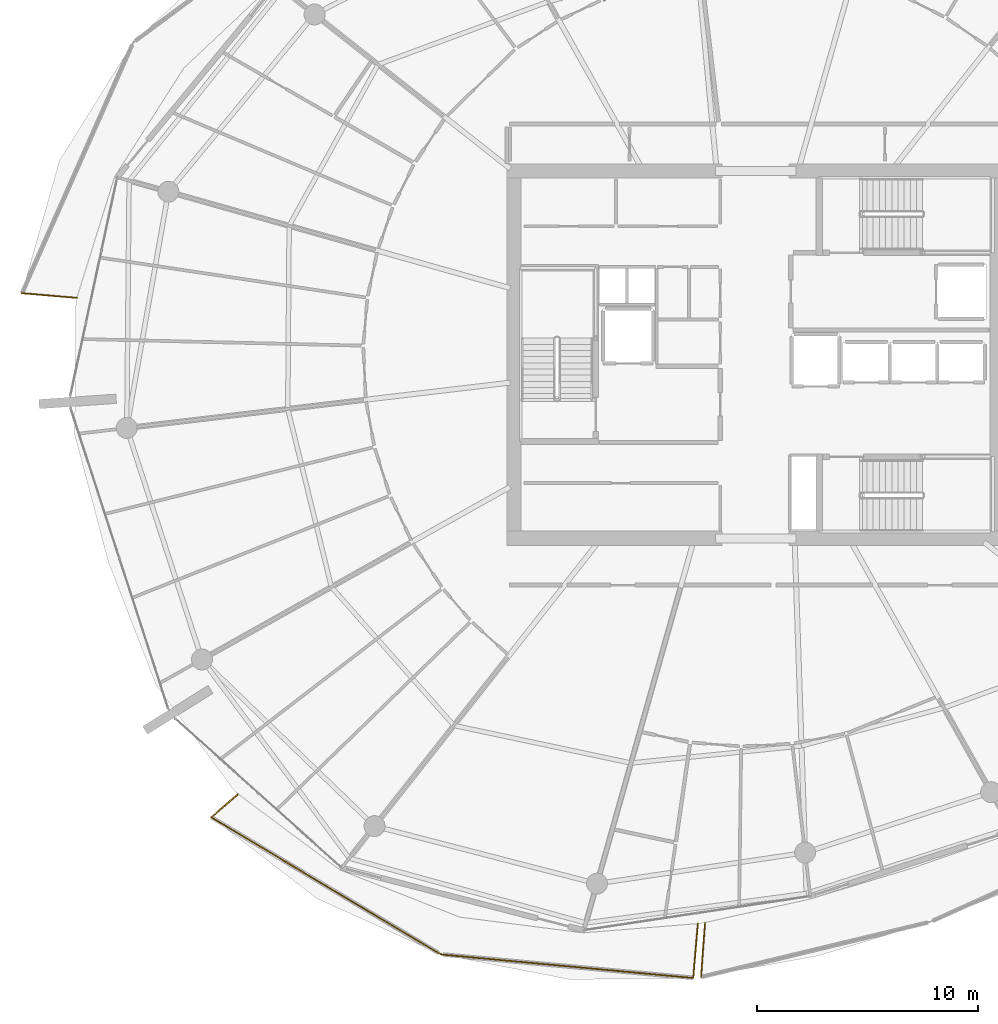
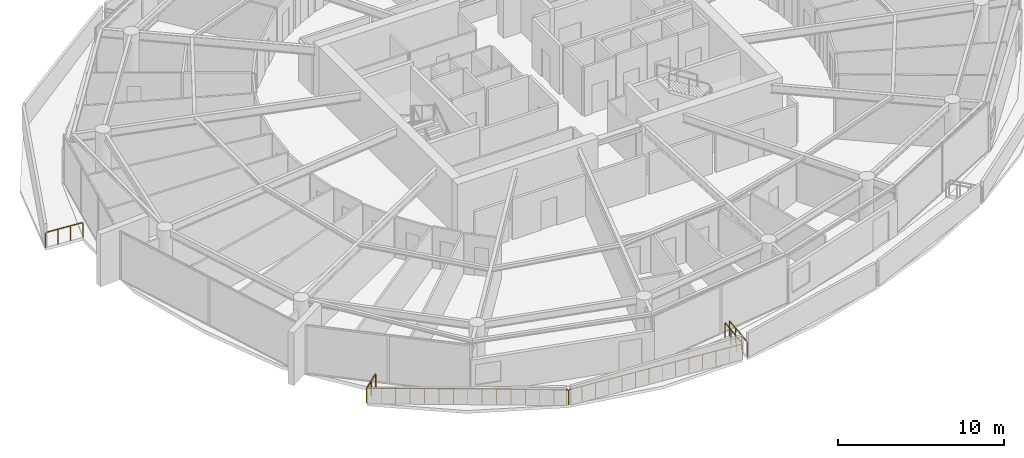
# One storey, part 24 of 30: 6 railings.
"""IFC4 building model written with IfcOpenShell, lengths in metres."""

from ifc_helpers import new_model, si_unit, direction, frame, origin, origin_2d, place, context, subcontext, project, spatial, rectangle, extrude, material, type_object, element, save


model = new_model("IFC4")

# Units and contexts
model_context = context("Model", 3, precision=1e-05, world=origin(), true_north=direction((0.0, 1.0)))
body_context = subcontext(model_context, "Body", "Model", "MODEL_VIEW")
ifc_project = project(units=[si_unit("LENGTHUNIT", "METRE"), si_unit("AREAUNIT", "SQUARE_METRE"), si_unit("VOLUMEUNIT", "CUBIC_METRE"), si_unit("PLANEANGLEUNIT", "RADIAN"), si_unit("MASSUNIT", "GRAM", prefix="KILO")], contexts=[model_context])

# Site, building, storey
site_placement = place(None, origin())
site = spatial("IfcSite", under=ifc_project, at=site_placement, CompositionType="ELEMENT")
building_placement = place(site_placement, origin())
building = spatial("IfcBuilding", under=site, at=building_placement, Name="Kazma Halo Residences", CompositionType="ELEMENT")
storey_placement = place(building_placement, frame((0.0, 0.0, 263.64990234375)))
storey = spatial("IfcBuildingStorey", under=building, at=storey_placement, Name="L66", CompositionType="ELEMENT", Elevation=263.64990234375)

# Railings
ifc_material = material(Name="Aluminium AW-6063 T6 Brushed Cap Rail", Category="aluminium")
railing_type = type_object("IfcRailingType", Name="RLG-BAL-CAP-1120", PredefinedType="BALUSTRADE", material=ifc_material)
railing_1_placement = place(storey_placement, frame((15.16357421875, 44.7861328125, 0.0)))
element("IfcRailing", 1, at=railing_1_placement, inside=storey, type_object=railing_type, Name="L66 NW wave balcony guard 4", PredefinedType="BALUSTRADE", context=body_context, shape_type="SweptSolid", body=[
    extrude(rectangle(XDim=0.050048828125, YDim=0.050048828125, at=origin_2d()), frame((0.04248046875, -0.003662109375, 1.09521484375), z_axis=(0.996420486685, -0.084535280881, 0.0), x_axis=(0.084535280881, 0.996420486685, 0.0)), (0.0, 0.0, 1.0), 2.41015625),
    extrude(rectangle(XDim=0.0400390625, YDim=0.0400390625, at=origin_2d()), origin(), (0.0, 0.0, 1.0), 1.05810546875),
    extrude(rectangle(XDim=0.0400390625, YDim=0.0400390625, at=origin_2d()), frame((0.828857421875, -0.0703125, 0.0)), (0.0, 0.0, 1.0), 1.05810546875),
    extrude(rectangle(XDim=0.0400390625, YDim=0.0400390625, at=origin_2d()), frame((1.657470703125, -0.140625, 0.0)), (0.0, 0.0, 1.0), 1.05810546875),
    extrude(rectangle(XDim=0.0400390625, YDim=0.0400390625, at=origin_2d()), frame((2.486328125, -0.2109375, 0.0)), (0.0, 0.0, 1.0), 1.05810546875),
])
railing_2_placement = place(storey_placement, frame((24.9599609375, 22.0771484375, 0.0)))
element("IfcRailing", 2, at=railing_2_placement, inside=storey, type_object=railing_type, Name="L66 SW wave balcony guard 1", PredefinedType="BALUSTRADE", context=body_context, shape_type="SweptSolid", body=[
    extrude(rectangle(XDim=0.050048828125, YDim=0.050048828125, at=origin_2d()), frame((-0.0322265625, -0.02783203125, 1.09521484375), z_axis=(-0.756483466275, -0.654012817346, 0.0), x_axis=(0.654012817346, -0.756483466275, 0.0)), (0.0, 0.0, 1.0), 1.515869140625),
    extrude(rectangle(XDim=0.0400390625, YDim=0.0400390625, at=origin_2d()), origin(), (0.0, 0.0, 1.0), 1.05810546875),
    extrude(rectangle(XDim=0.0400390625, YDim=0.0400390625, at=origin_2d()), frame((-0.60546875, -0.5234375, 0.0)), (0.0, 0.0, 1.0), 1.05810546875),
    extrude(rectangle(XDim=0.0400390625, YDim=0.0400390625, at=origin_2d()), frame((-1.211181640625, -1.047119140625, 0.0)), (0.0, 0.0, 1.0), 1.05810546875),
])
railing_3_placement = place(storey_placement, frame((23.748779296875, 21.030029296875, 0.0)))
element("IfcRailing", 3, at=railing_3_placement, inside=storey, type_object=railing_type, Name="L66 SW wave balcony guard 2", PredefinedType="BALUSTRADE", context=body_context, shape_type="SweptSolid", body=[
    extrude(rectangle(XDim=0.050048828125, YDim=0.050048828125, at=origin_2d()), frame((0.03662109375, -0.021728515625, 1.09521484375), z_axis=(0.858276045077, -0.513188299211, 0.0), x_axis=(0.513188299211, 0.858276045077, 0.0)), (0.0, 0.0, 1.0), 12.030517578125),
    extrude(rectangle(XDim=0.0400390625, YDim=0.0400390625, at=origin_2d()), origin(), (0.0, 0.0, 1.0), 1.05810546875),
    extrude(rectangle(XDim=0.0400390625, YDim=0.0400390625, at=origin_2d()), frame((0.74267578125, -0.444091796875, 0.0)), (0.0, 0.0, 1.0), 1.05810546875),
    extrude(rectangle(XDim=0.0400390625, YDim=0.0400390625, at=origin_2d()), frame((1.485595703125, -0.88818359375, 0.0)), (0.0, 0.0, 1.0), 1.05810546875),
    extrude(rectangle(XDim=0.0400390625, YDim=0.0400390625, at=origin_2d()), frame((2.228271484375, -1.332275390625, 0.0)), (0.0, 0.0, 1.0), 1.05810546875),
    extrude(rectangle(XDim=0.0400390625, YDim=0.0400390625, at=origin_2d()), frame((2.970947265625, -1.7763671875, 0.0)), (0.0, 0.0, 1.0), 1.05810546875),
    extrude(rectangle(XDim=0.0400390625, YDim=0.0400390625, at=origin_2d()), frame((3.713623046875, -2.220458984375, 0.0)), (0.0, 0.0, 1.0), 1.05810546875),
    extrude(rectangle(XDim=0.0400390625, YDim=0.0400390625, at=origin_2d()), frame((4.45654296875, -2.66455078125, 0.0)), (0.0, 0.0, 1.0), 1.05810546875),
    extrude(rectangle(XDim=0.0400390625, YDim=0.0400390625, at=origin_2d()), frame((5.19921875, -3.10888671875, 0.0)), (0.0, 0.0, 1.0), 1.05810546875),
    extrude(rectangle(XDim=0.0400390625, YDim=0.0400390625, at=origin_2d()), frame((5.94189453125, -3.552978515625, 0.0)), (0.0, 0.0, 1.0), 1.05810546875),
    extrude(rectangle(XDim=0.0400390625, YDim=0.0400390625, at=origin_2d()), frame((6.684814453125, -3.9970703125, 0.0)), (0.0, 0.0, 1.0), 1.05810546875),
    extrude(rectangle(XDim=0.0400390625, YDim=0.0400390625, at=origin_2d()), frame((7.427490234375, -4.441162109375, 0.0)), (0.0, 0.0, 1.0), 1.05810546875),
    extrude(rectangle(XDim=0.0400390625, YDim=0.0400390625, at=origin_2d()), frame((8.170166015625, -4.88525390625, 0.0)), (0.0, 0.0, 1.0), 1.05810546875),
    extrude(rectangle(XDim=0.0400390625, YDim=0.0400390625, at=origin_2d()), frame((8.912841796875, -5.329345703125, 0.0)), (0.0, 0.0, 1.0), 1.05810546875),
    extrude(rectangle(XDim=0.0400390625, YDim=0.0400390625, at=origin_2d()), frame((9.65576171875, -5.7734375, 0.0)), (0.0, 0.0, 1.0), 1.05810546875),
    extrude(rectangle(XDim=0.0400390625, YDim=0.0400390625, at=origin_2d()), frame((10.3984375, -6.217529296875, 0.0)), (0.0, 0.0, 1.0), 1.05810546875),
])
railing_4_placement = place(storey_placement, frame((34.147216796875, 14.8125, 0.0)))
element("IfcRailing", 4, at=railing_4_placement, inside=storey, type_object=railing_type, Name="L66 SW wave balcony guard 3", PredefinedType="BALUSTRADE", context=body_context, shape_type="SweptSolid", body=[
    extrude(rectangle(XDim=0.050048828125, YDim=0.050048828125, at=origin_2d()), frame((0.042236328125, -0.00390625, 1.09521484375), z_axis=(0.995673088421, -0.092925244122, 0.0), x_axis=(0.092925244122, 0.995673088421, 0.0)), (0.0, 0.0, 1.0), 11.419677734375),
    extrude(rectangle(XDim=0.0400390625, YDim=0.0400390625, at=origin_2d()), origin(), (0.0, 0.0, 1.0), 1.05810546875),
    extrude(rectangle(XDim=0.0400390625, YDim=0.0400390625, at=origin_2d()), frame((0.881103515625, -0.082275390625, 0.0)), (0.0, 0.0, 1.0), 1.05810546875),
    extrude(rectangle(XDim=0.0400390625, YDim=0.0400390625, at=origin_2d()), frame((1.76220703125, -0.16455078125, 0.0)), (0.0, 0.0, 1.0), 1.05810546875),
    extrude(rectangle(XDim=0.0400390625, YDim=0.0400390625, at=origin_2d()), frame((2.6435546875, -0.246826171875, 0.0)), (0.0, 0.0, 1.0), 1.05810546875),
    extrude(rectangle(XDim=0.0400390625, YDim=0.0400390625, at=origin_2d()), frame((3.524658203125, -0.328857421875, 0.0)), (0.0, 0.0, 1.0), 1.05810546875),
    extrude(rectangle(XDim=0.0400390625, YDim=0.0400390625, at=origin_2d()), frame((4.40576171875, -0.4111328125, 0.0)), (0.0, 0.0, 1.0), 1.05810546875),
    extrude(rectangle(XDim=0.0400390625, YDim=0.0400390625, at=origin_2d()), frame((5.286865234375, -0.493408203125, 0.0)), (0.0, 0.0, 1.0), 1.05810546875),
    extrude(rectangle(XDim=0.0400390625, YDim=0.0400390625, at=origin_2d()), frame((6.168212890625, -0.57568359375, 0.0)), (0.0, 0.0, 1.0), 1.05810546875),
    extrude(rectangle(XDim=0.0400390625, YDim=0.0400390625, at=origin_2d()), frame((7.04931640625, -0.657958984375, 0.0)), (0.0, 0.0, 1.0), 1.05810546875),
    extrude(rectangle(XDim=0.0400390625, YDim=0.0400390625, at=origin_2d()), frame((7.930419921875, -0.740234375, 0.0)), (0.0, 0.0, 1.0), 1.05810546875),
    extrude(rectangle(XDim=0.0400390625, YDim=0.0400390625, at=origin_2d()), frame((8.8115234375, -0.822265625, 0.0)), (0.0, 0.0, 1.0), 1.05810546875),
    extrude(rectangle(XDim=0.0400390625, YDim=0.0400390625, at=origin_2d()), frame((9.69287109375, -0.904541015625, 0.0)), (0.0, 0.0, 1.0), 1.05810546875),
    extrude(rectangle(XDim=0.0400390625, YDim=0.0400390625, at=origin_2d()), frame((10.573974609375, -0.98681640625, 0.0)), (0.0, 0.0, 1.0), 1.05810546875),
    extrude(rectangle(XDim=0.0400390625, YDim=0.0400390625, at=origin_2d()), frame((11.455078125, -1.069091796875, 0.0)), (0.0, 0.0, 1.0), 1.05810546875),
])
railing_5_placement = place(storey_placement, frame((45.602294921875, 13.743408203125, 0.0)))
element("IfcRailing", 5, at=railing_5_placement, inside=storey, type_object=railing_type, Name="L66 SW wave balcony guard 4", PredefinedType="BALUSTRADE", context=body_context, shape_type="SweptSolid", body=[
    extrude(rectangle(XDim=0.050048828125, YDim=0.050048828125, at=origin_2d()), frame((0.003662109375, 0.04248046875, 1.09521484375), z_axis=(0.084566101323, 0.996417871431, 0.0), x_axis=(-0.996417871431, 0.084566101323, 0.0)), (0.0, 0.0, 1.0), 2.38623046875),
    extrude(rectangle(XDim=0.0400390625, YDim=0.0400390625, at=origin_2d()), origin(), (0.0, 0.0, 1.0), 1.05810546875),
    extrude(rectangle(XDim=0.0400390625, YDim=0.0400390625, at=origin_2d()), frame((0.069580078125, 0.82080078125, 0.0)), (0.0, 0.0, 1.0), 1.05810546875),
    extrude(rectangle(XDim=0.0400390625, YDim=0.0400390625, at=origin_2d()), frame((0.139404296875, 1.6416015625, 0.0)), (0.0, 0.0, 1.0), 1.05810546875),
    extrude(rectangle(XDim=0.0400390625, YDim=0.0400390625, at=origin_2d()), frame((0.208984375, 2.46240234375, 0.0)), (0.0, 0.0, 1.0), 1.05810546875),
])
railing_6_placement = place(storey_placement, frame((46.1318359375, 16.25390625, 0.0)))
element("IfcRailing", 6, at=railing_6_placement, inside=storey, type_object=railing_type, Name="L66 SSE wave balcony guard 1", PredefinedType="BALUSTRADE", context=body_context, shape_type="SweptSolid", body=[
    extrude(rectangle(XDim=0.050048828125, YDim=0.050048828125, at=origin_2d()), frame((-0.003173828125, -0.04248046875, 1.09521484375), z_axis=(-0.072359420263, -0.997378621337, 0.0), x_axis=(0.997378621337, -0.072359420263, 0.0)), (0.0, 0.0, 1.0), 2.394775390625),
    extrude(rectangle(XDim=0.0400390625, YDim=0.0400390625, at=origin_2d()), origin(), (0.0, 0.0, 1.0), 1.05810546875),
    extrude(rectangle(XDim=0.0400390625, YDim=0.0400390625, at=origin_2d()), frame((-0.059814453125, -0.824462890625, 0.0)), (0.0, 0.0, 1.0), 1.05810546875),
    extrude(rectangle(XDim=0.0400390625, YDim=0.0400390625, at=origin_2d()), frame((-0.11962890625, -1.64892578125, 0.0)), (0.0, 0.0, 1.0), 1.05810546875),
    extrude(rectangle(XDim=0.0400390625, YDim=0.0400390625, at=origin_2d()), frame((-0.179443359375, -2.473388671875, 0.0)), (0.0, 0.0, 1.0), 1.05810546875),
])

save(model, "model.ifc")
